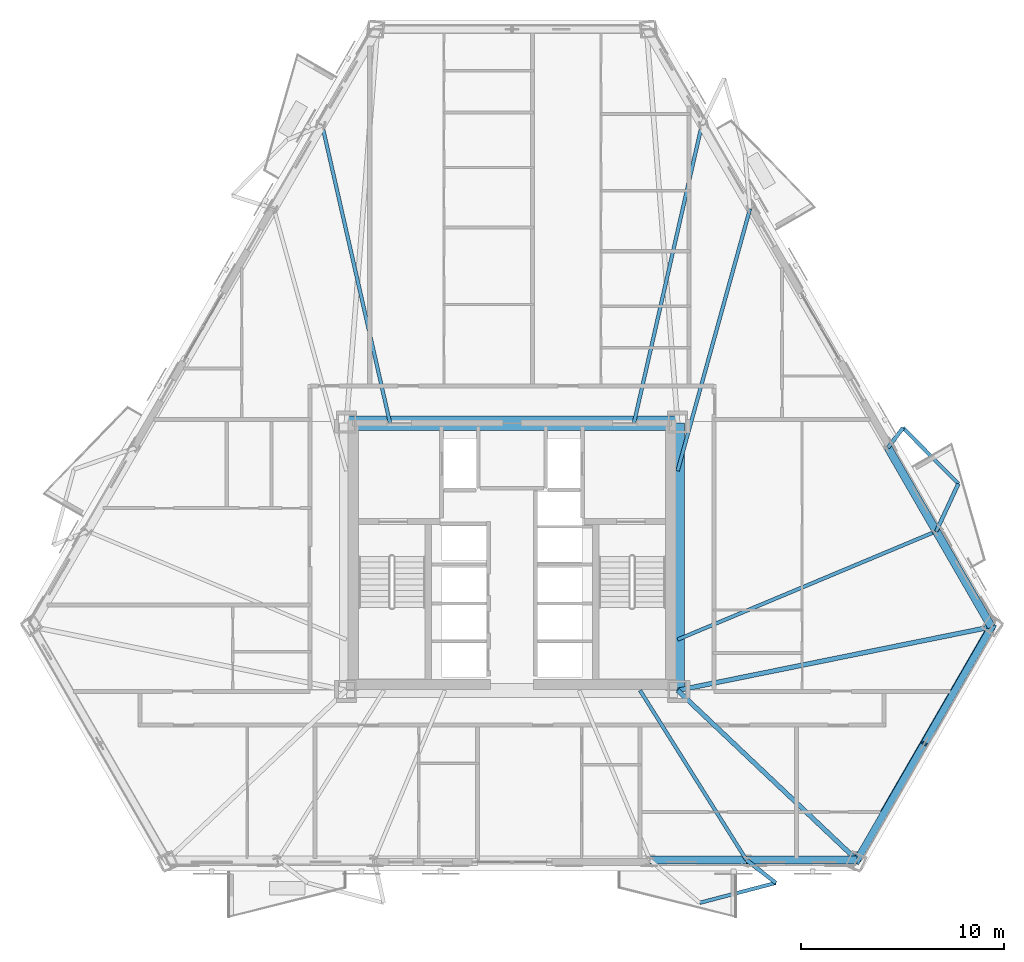
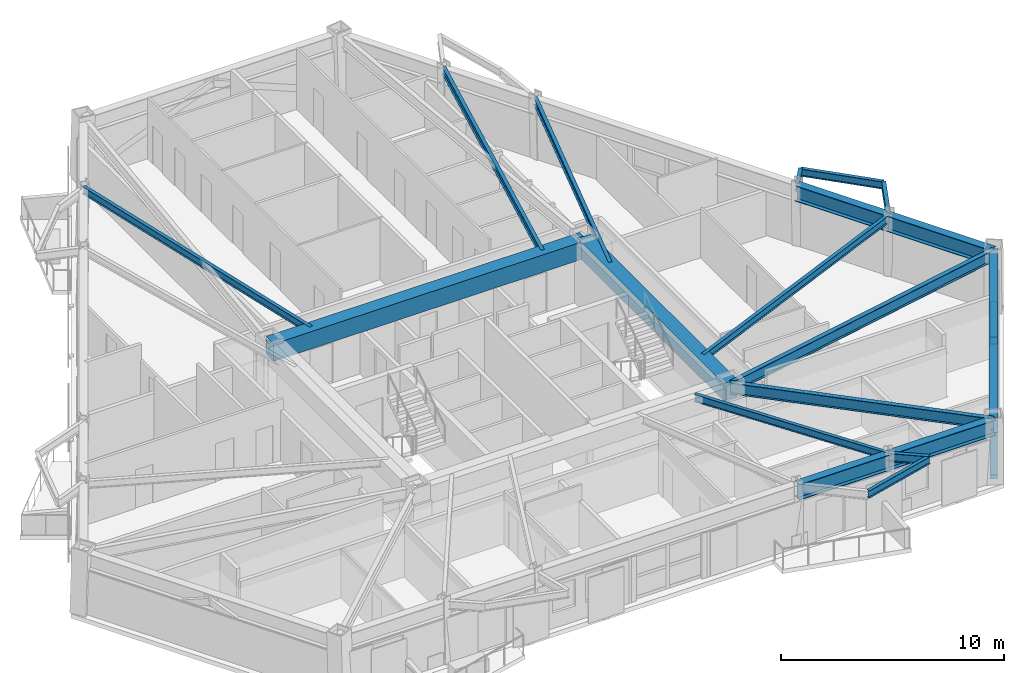
# One storey, part 6 of 17: 19 beams, 2 members.
"""IFC4 building model written with IfcOpenShell, lengths in metres."""

import ifcopenshell
import ifcopenshell.guid

model = None  # the IFC model being written
_history = None  # IfcOwnerHistory: only IFC2X3 demands one
_inside = {}  # id of a spatial element -> (the spatial element, [elements in it])
_under = {}  # id of a project, library or spatial element -> (it, [spatial elements below it])
_declared = {}  # id of a project -> (the project, [libraries it declares])
_typed = {}  # id of a type object -> (the type object, [elements of that type])
_made_of = {}  # id of a material, layer set ... -> (it, [elements and type objects made of it])


def new_model(schema):
    """Start an empty IFC model of exactly this schema.

    Asked for "IFC4X3", IfcOpenShell would pick the latest addendum, in which some entities
    have other attributes; the version numbers below select the first issue.
    IFC2X3 requires an IfcOwnerHistory on every rooted entity: one is made here for all.
    """
    global model, _history
    if schema == "IFC4X3":
        model = ifcopenshell.file(schema_version=(4, 3, 0, 0))
    else:
        model = ifcopenshell.file(schema=schema)
    _inside.clear()
    _under.clear()
    _declared.clear()
    _typed.clear()
    _made_of.clear()
    _history = None
    if model.schema == "IFC2X3":
        org = make("IfcOrganization", Name="unknown")
        user = make(
            "IfcPersonAndOrganization",
            ThePerson=make("IfcPerson", FamilyName="unknown"),
            TheOrganization=org,
        )
        app = make(
            "IfcApplication",
            ApplicationDeveloper=org,
            Version="unknown",
            ApplicationFullName="unknown",
            ApplicationIdentifier="unknown",
        )
        _history = make(
            "IfcOwnerHistory",
            OwningUser=user,
            OwningApplication=app,
            ChangeAction="ADDED",
            CreationDate=0,
        )
    return model


def make(cls, **values):
    """One entity of the class cls with the attributes given. An attribute that is None is left unset."""
    return model.create_entity(
        cls, **{name: value for name, value in values.items() if value is not None}
    )


def rooted(cls, **values):
    """An entity with a GlobalId (a new one), such as an element, a storey or a relation."""
    return make(cls, GlobalId=ifcopenshell.guid.new(), OwnerHistory=_history, **values)


def si_unit(unit_type, name, prefix=None):
    """IfcSIUnit, for example si_unit("LENGTHUNIT", "METRE", prefix="MILLI")."""
    return make("IfcSIUnit", UnitType=unit_type, Prefix=prefix, Name=name)


def assignment(units):
    """IfcUnitAssignment: the units of a project."""
    return None if units is None else make("IfcUnitAssignment", Units=units)


def point(xyz):
    """IfcCartesianPoint."""
    return None if xyz is None else make("IfcCartesianPoint", Coordinates=xyz)


def direction(xyz):
    """IfcDirection."""
    return None if xyz is None else make("IfcDirection", DirectionRatios=xyz)


def frame(location, z_axis=None, x_axis=None):
    """IfcAxis2Placement3D, a coordinate frame: its origin and axes. An axis left out is left unset."""
    return make(
        "IfcAxis2Placement3D",
        Location=point(location),
        Axis=direction(z_axis),
        RefDirection=direction(x_axis),
    )


def frame_2d(location, x_axis=None):
    """IfcAxis2Placement2D, a coordinate frame in the plane: its origin and x axis."""
    return make(
        "IfcAxis2Placement2D", Location=point(location), RefDirection=direction(x_axis)
    )


def origin():
    """The frame at (0, 0, 0) with its axes left unset."""
    return frame((0.0, 0.0, 0.0))


def origin_2d():
    """The frame at (0, 0) in the plane with its x axis left unset."""
    return frame_2d((0.0, 0.0))


def place(relative_to, where):
    """IfcLocalPlacement: puts the frame where relative to a parent placement (None: the world)."""
    return make(
        "IfcLocalPlacement", PlacementRelTo=relative_to, RelativePlacement=where
    )


def context(
    kind, dimensions, precision=None, world=None, true_north=None, identifier=None
):
    """IfcGeometricRepresentationContext, for example the 3D "Model" context."""
    return make(
        "IfcGeometricRepresentationContext",
        ContextIdentifier=identifier,
        ContextType=kind,
        CoordinateSpaceDimension=dimensions,
        Precision=precision,
        WorldCoordinateSystem=world,
        TrueNorth=true_north,
    )


def subcontext(parent, identifier, kind, view, scale=None):
    """IfcGeometricRepresentationSubContext, for example "Body" below "Model"."""
    return make(
        "IfcGeometricRepresentationSubContext",
        ContextIdentifier=identifier,
        ContextType=kind,
        ParentContext=parent,
        TargetScale=scale,
        TargetView=view,
    )


def project(units=None, contexts=None):
    """IfcProject with its units and contexts."""
    return rooted(
        "IfcProject",
        Name="project",
        RepresentationContexts=contexts,
        UnitsInContext=assignment(units),
    )


def spatial(cls, under=None, at=None, **own):
    """A site, building, storey or space (cls), placed at a placement, below another one or the project."""
    s = rooted(cls, ObjectPlacement=at, **own)
    if under is not None:
        _under.setdefault(under.id(), (under, []))[1].append(s)
    return s


def profile(cls, at=None, kind="AREA", **sizes):
    """A parametric profile (cls). Its sizes go by their IFC names, for example OverallWidth=200.0."""
    return make(cls, ProfileType=kind, Position=at, **sizes)


def rectangle(**sizes):
    """IfcRectangleProfileDef."""
    return profile("IfcRectangleProfileDef", **sizes)


def hollow_rectangle(**sizes):
    """IfcRectangleHollowProfileDef."""
    return profile("IfcRectangleHollowProfileDef", **sizes)


def i_section(**sizes):
    """IfcIShapeProfileDef."""
    return profile("IfcIShapeProfileDef", **sizes)


def extrude(swept, where, along, depth):
    """IfcExtrudedAreaSolid: the profile swept, set in the frame where, extruded along a direction by depth."""
    return make(
        "IfcExtrudedAreaSolid",
        SweptArea=swept,
        Position=where,
        ExtrudedDirection=direction(along),
        Depth=depth,
    )


def shape(context_of_items, identifier, shape_type, items):
    """IfcShapeRepresentation: the items that make up one representation, for example the "Body"."""
    return make(
        "IfcShapeRepresentation",
        ContextOfItems=context_of_items,
        RepresentationIdentifier=identifier,
        RepresentationType=shape_type,
        Items=items,
    )


def material(Name=None, Category=None):
    """IfcMaterial."""
    return make("IfcMaterial", Name=Name, Category=Category)


def material_profile(
    of_material, cross_section, Name=None, Category=None, Priority=None
):
    """IfcMaterialProfile: a cross section and its material."""
    return make(
        "IfcMaterialProfile",
        Name=Name,
        Material=of_material,
        Profile=cross_section,
        Priority=Priority,
        Category=Category,
    )


def profile_set(profiles, Name=None, composite=None):
    """IfcMaterialProfileSet."""
    return make(
        "IfcMaterialProfileSet",
        Name=Name,
        MaterialProfiles=profiles,
        CompositeProfile=composite,
    )


def made_of(thing, what):
    """Note that an element or type object is made of a material, layer set ...; save() writes the relation."""
    if what is not None:
        _made_of.setdefault(what.id(), (what, []))[1].append(thing)
    return thing


def type_object(cls, material=None, **own):
    """A type object (cls), such as IfcWallType, which elements share."""
    return made_of(rooted(cls, **own), material)


def element(
    cls,
    number,
    at=None,
    inside=None,
    cuts=None,
    type_object=None,
    material=None,
    context=None,
    identifier="Body",
    shape_type=None,
    held_by="IfcProductDefinitionShape",
    body=None,
    shapes=None,
    **own,
):
    """One element of the class cls, such as IfcWall. Its Tag is "e" and its number.

    at: its placement. inside: the storey or other place that contains it. cuts: it is an
    opening in that element (IfcRelVoidsElement). A single representation is given by context,
    identifier, shape_type and body (its items); several are given by shapes. held_by: the class
    of the entity that holds the representations. save() writes the other relations.
    """
    e = rooted(cls, Tag="e%d" % number, ObjectPlacement=at, **own)
    if body is not None:
        shapes = [shape(context, identifier, shape_type, body)]
    if shapes is not None:
        e.Representation = make(held_by, Representations=shapes)
    if inside is not None:
        _inside.setdefault(inside.id(), (inside, []))[1].append(e)
    if cuts is not None:
        rooted(
            "IfcRelVoidsElement", RelatingBuildingElement=cuts, RelatedOpeningElement=e
        )
    if type_object is not None:
        _typed.setdefault(type_object.id(), (type_object, []))[1].append(e)
    return made_of(e, material)


def aggregate(whole, parts):
    """IfcRelAggregates: a whole, such as a stair, and the parts it consists of."""
    return rooted("IfcRelAggregates", RelatingObject=whole, RelatedObjects=parts)


def save(model, path):
    """Write the relations noted so far, then the file.

    IfcRelAggregates (storeys below a building ...), IfcRelContainedInSpatialStructure (elements
    in a storey), IfcRelDefinesByType, IfcRelAssociatesMaterial and IfcRelDeclares: one each for
    every whole, place, type object, material and project.
    """
    for whole, parts in _under.values():
        aggregate(whole, parts)
    for where, things in _inside.values():
        rooted(
            "IfcRelContainedInSpatialStructure",
            RelatedElements=things,
            RelatingStructure=where,
        )
    for kind, things in _typed.values():
        rooted("IfcRelDefinesByType", RelatedObjects=things, RelatingType=kind)
    for what, things in _made_of.values():
        rooted("IfcRelAssociatesMaterial", RelatedObjects=things, RelatingMaterial=what)
    for by, libraries in _declared.values():
        rooted("IfcRelDeclares", RelatingContext=by, RelatedDefinitions=libraries)
    model.write(path)


model = new_model("IFC4")

# Units and contexts
model_context = context("Model", 3, precision=1e-05, world=origin(), true_north=direction((0.0, 1.0)))
body_context = subcontext(model_context, "Body", "Model", "MODEL_VIEW")
ifc_project = project(units=[si_unit("LENGTHUNIT", "METRE"), si_unit("AREAUNIT", "SQUARE_METRE"), si_unit("VOLUMEUNIT", "CUBIC_METRE"), si_unit("PLANEANGLEUNIT", "RADIAN"), si_unit("MASSUNIT", "GRAM", prefix="KILO")], contexts=[model_context])

# Site, building, storey
site_placement = place(None, origin())
site = spatial("IfcSite", under=ifc_project, at=site_placement, CompositionType="ELEMENT")
building_placement = place(site_placement, origin())
building = spatial("IfcBuilding", under=site, at=building_placement, Name="Oramaril Tower", CompositionType="ELEMENT")
storey_placement = place(building_placement, frame((0.0, 0.0, 70.5)))
storey = spatial("IfcBuildingStorey", under=building, at=storey_placement, Name="L18", CompositionType="ELEMENT", Elevation=70.5)

# Beams
ifc_material_1 = material(Name="Steel ASTM A572 Gr 50", Category="steel")
ifc_material_profile_1 = material_profile(ifc_material_1, i_section(OverallWidth=0.19091796875, OverallDepth=0.45703125, WebThickness=0.009033203125, FlangeThickness=0.014404296875, at=origin_2d()), Name="W18X50")
ifc_profile_set_1 = profile_set([ifc_material_profile_1], Name="Steel ASTM A572 Gr 50")
beam_type_1 = type_object("IfcBeamType", Name="BT-BB1", PredefinedType="BEAM", material=ifc_profile_set_1)
beam_1_placement = place(storey_placement, frame((49.038818359375, 2.654296875, 3.131591796875), z_axis=(0.787842447264, -0.615876836948, 0.0), x_axis=(0.615876836948, 0.787842447264, 0.0)))
element("IfcBeam", 1, at=beam_1_placement, inside=storey, type_object=beam_type_1, Name="L18 Balcony Column-Framed Cantilever 02.2", PredefinedType="BEAM", context=body_context, shape_type="SweptSolid", body=[
    extrude(i_section(OverallWidth=0.19091796875, OverallDepth=0.45703125, WebThickness=0.009033203125, FlangeThickness=0.014404296875, at=origin_2d()), origin(), (0.0, 0.0, 1.0), 1.831298828125),
])
beam_2_placement = place(storey_placement, frame((58.377685546875, 18.829833984375, 3.131591796875), z_axis=(0.420835715479, 0.907136869815, 0.0), x_axis=(-0.907136869815, 0.420835715479, 0.0)))
element("IfcBeam", 2, at=beam_2_placement, inside=storey, type_object=beam_type_1, Name="L18 Balcony Column-Framed Cantilever 03.1", PredefinedType="BEAM", context=body_context, shape_type="SweptSolid", body=[
    extrude(i_section(OverallWidth=0.19091796875, OverallDepth=0.45703125, WebThickness=0.009033203125, FlangeThickness=0.014404296875, at=origin_2d()), origin(), (0.0, 0.0, 1.0), 2.576904296875),
])
beam_3_placement = place(storey_placement, frame((56.002197265625, 22.944580078125, 3.131591796875), z_axis=(0.604045868404, 0.79694955227, 0.0), x_axis=(-0.79694955227, 0.604045868404, 0.0)))
element("IfcBeam", 3, at=beam_3_placement, inside=storey, type_object=beam_type_1, Name="L18 Balcony Column-Framed Cantilever 03.2", PredefinedType="BEAM", context=body_context, shape_type="SweptSolid", body=[
    extrude(i_section(OverallWidth=0.19091796875, OverallDepth=0.45703125, WebThickness=0.009033203125, FlangeThickness=0.014404296875, at=origin_2d()), origin(), (0.0, 0.0, 1.0), 1.223876953125),
])
ifc_material_2 = material(Name="Concrete C50/60", Category="concrete")
ifc_material_profile_2 = material_profile(ifc_material_2, rectangle(XDim=0.699951171875, YDim=0.949951171875, at=origin_2d()), Name="CB700X950")
ifc_profile_set_2 = profile_set([ifc_material_profile_2], Name="Concrete C50/60")
beam_type_2 = type_object("IfcBeamType", Name="BT-CB1", PredefinedType="BEAM", material=ifc_profile_set_2)
beam_4_placement = place(storey_placement, frame((45.64990234375, 11.0, 2.885009765625), z_axis=(0.0, 1.0, 0.0), x_axis=(-1.0, 0.0, 0.0)))
element("IfcBeam", 4, at=beam_4_placement, inside=storey, type_object=beam_type_2, Name="L18 Core Header Beam CB-2", PredefinedType="BEAM", context=body_context, shape_type="SweptSolid", body=[
    extrude(rectangle(XDim=0.699951171875, YDim=0.949951171875, at=origin_2d()), origin(), (0.0, 0.0, 1.0), 13.14990234375),
])
beam_5_placement = place(storey_placement, frame((45.64990234375, 24.14990234375, 2.885009765625), z_axis=(-1.0, 0.0, 0.0), x_axis=(0.0, -1.0, 0.0)))
element("IfcBeam", 5, at=beam_5_placement, inside=storey, type_object=beam_type_2, Name="L18 Core Header Beam CB-3", PredefinedType="BEAM", context=body_context, shape_type="SweptSolid", body=[
    extrude(rectangle(XDim=0.699951171875, YDim=0.949951171875, at=origin_2d()), origin(), (0.0, 0.0, 1.0), 16.2998046875),
])
ifc_material_3 = material(Name="Steel ASTM A572 Gr 50", Category="steel")
ifc_material_profile_3 = material_profile(ifc_material_3, i_section(OverallWidth=0.22900390625, OverallDepth=0.612060546875, WebThickness=0.011962890625, FlangeThickness=0.01953125, at=origin_2d()), Name="W24X84")
ifc_profile_set_3 = profile_set([ifc_material_profile_3], Name="Steel ASTM A572 Gr 50")
beam_type_3 = type_object("IfcBeamType", Name="BT-FB1", PredefinedType="BEAM", material=ifc_profile_set_3)
beam_6_placement = place(storey_placement, frame((45.64990234375, 11.0, 3.053955078125), z_axis=(0.726331938854, -0.687344102034, 0.0), x_axis=(0.687344102034, 0.726331938854, 0.0)))
element("IfcBeam", 6, at=beam_6_placement, inside=storey, type_object=beam_type_3, Name="L18 Radial Primary Beam RB-03", PredefinedType="BEAM", context=body_context, shape_type="SweptSolid", body=[
    extrude(i_section(OverallWidth=0.22900390625, OverallDepth=0.612060546875, WebThickness=0.011962890625, FlangeThickness=0.01953125, at=origin_2d()), origin(), (0.0, 0.0, 1.0), 12.141845703125),
])
beam_7_placement = place(storey_placement, frame((45.64990234375, 11.0, 3.053955078125), z_axis=(0.980106444262, 0.198472562123, 0.0), x_axis=(-0.198472562123, 0.980106444262, 0.0)))
element("IfcBeam", 7, at=beam_7_placement, inside=storey, type_object=beam_type_3, Name="L18 Radial Primary Beam RB-04", PredefinedType="BEAM", context=body_context, shape_type="SweptSolid", body=[
    extrude(i_section(OverallWidth=0.22900390625, OverallDepth=0.612060546875, WebThickness=0.011962890625, FlangeThickness=0.01953125, at=origin_2d()), origin(), (0.0, 0.0, 1.0), 15.75634765625),
])
ifc_material_4 = material(Name="Steel ASTM A572 Gr 50", Category="steel")
ifc_material_profile_4 = material_profile(ifc_material_4, i_section(OverallWidth=0.177978515625, OverallDepth=0.404052734375, WebThickness=0.007568359375, FlangeThickness=0.010986328125, at=origin_2d()), Name="W16X36")
ifc_profile_set_4 = profile_set([ifc_material_profile_4], Name="Steel ASTM A572 Gr 50")
beam_type_4 = type_object("IfcBeamType", Name="BT-SB1", PredefinedType="BEAM", material=ifc_profile_set_4)
beam_8_placement = place(storey_placement, frame((43.800048828125, 11.0, 3.157958984375), z_axis=(0.531654893826, -0.846961081674, 0.0), x_axis=(0.846961081674, 0.531654893826, 0.0)))
element("IfcBeam", 8, at=beam_8_placement, inside=storey, type_object=beam_type_4, Name="L18 Secondary Floor Beam SB-04", PredefinedType="BEAM", context=body_context, shape_type="SweptSolid", body=[
    extrude(i_section(OverallWidth=0.177978515625, OverallDepth=0.404052734375, WebThickness=0.007568359375, FlangeThickness=0.010986328125, at=origin_2d()), origin(), (0.0, 0.0, 1.0), 9.853759765625),
])
beam_9_placement = place(storey_placement, frame((45.64990234375, 13.5, 3.157958984375), z_axis=(0.922391296848, 0.386256774049, 0.0), x_axis=(-0.386256774049, 0.922391296848, 0.0)))
element("IfcBeam", 9, at=beam_9_placement, inside=storey, type_object=beam_type_4, Name="L18 Secondary Floor Beam SB-05", PredefinedType="BEAM", context=body_context, shape_type="SweptSolid", body=[
    extrude(i_section(OverallWidth=0.177978515625, OverallDepth=0.404052734375, WebThickness=0.007568359375, FlangeThickness=0.010986328125, at=origin_2d()), origin(), (0.0, 0.0, 1.0), 13.798583984375),
])
beam_10_placement = place(storey_placement, frame((45.64990234375, 21.800048828125, 3.157958984375), z_axis=(0.266334041526, 0.963880790515, 0.0), x_axis=(-0.963880790515, 0.266334041526, 0.0)))
element("IfcBeam", 10, at=beam_10_placement, inside=storey, type_object=beam_type_4, Name="L18 Secondary Floor Beam SB-06", PredefinedType="BEAM", context=body_context, shape_type="SweptSolid", body=[
    extrude(i_section(OverallWidth=0.177978515625, OverallDepth=0.404052734375, WebThickness=0.007568359375, FlangeThickness=0.010986328125, at=origin_2d()), origin(), (0.0, 0.0, 1.0), 13.38427734375),
])
for number, where, z_axis, x_axis, name in (
    (11, (43.5, 24.14990234375, 3.157958984375), (0.22198028346, 0.97505115443, 0.0), (-0.97505115443, 0.22198028346, 0.0), "L18 Secondary Floor Beam SB-07"),
    (12, (31.5, 24.14990234375, 3.157958984375), (-0.22198028346, 0.97505115443, 0.0), (-0.97505115443, -0.22198028346, 0.0), "L18 Secondary Floor Beam SB-08"),
):
    element("IfcBeam", number, at=place(storey_placement, frame(where, z_axis=z_axis, x_axis=x_axis)), inside=storey, type_object=beam_type_4, Name=name, PredefinedType="BEAM", context=body_context, shape_type="SweptSolid", body=[
        extrude(i_section(OverallWidth=0.177978515625, OverallDepth=0.404052734375, WebThickness=0.007568359375, FlangeThickness=0.010986328125, at=origin_2d()), origin(), (0.0, 0.0, 1.0), 15.041259765625),
    ])
beam_11_placement = place(storey_placement, frame((46.737548828125, 0.54638671875, 3.157958984375), z_axis=(0.967411967632, 0.253207592467, 0.0), x_axis=(-0.253207592467, 0.967411967632, 0.0)))
element("IfcBeam", 13, at=beam_11_placement, inside=storey, type_object=beam_type_4, Name="L18 Balcony Edge Tie Beam 02", PredefinedType="BEAM", context=body_context, shape_type="SweptSolid", body=[
    extrude(i_section(OverallWidth=0.177978515625, OverallDepth=0.404052734375, WebThickness=0.007568359375, FlangeThickness=0.010986328125, at=origin_2d()), origin(), (0.0, 0.0, 1.0), 3.870361328125),
])
beam_12_placement = place(storey_placement, frame((59.462158203125, 21.16748046875, 3.157958984375), z_axis=(-0.702994511648, 0.71119527318, 0.0), x_axis=(-0.71119527318, -0.702994511648, 0.0)))
element("IfcBeam", 14, at=beam_12_placement, inside=storey, type_object=beam_type_4, Name="L18 Balcony Edge Tie Beam 03", PredefinedType="BEAM", context=body_context, shape_type="SweptSolid", body=[
    extrude(i_section(OverallWidth=0.177978515625, OverallDepth=0.404052734375, WebThickness=0.007568359375, FlangeThickness=0.010986328125, at=origin_2d()), origin(), (0.0, 0.0, 1.0), 3.8701171875),
])
ifc_material_5 = material(Name="Steel ASTM A572 Gr 50", Category="steel")
ifc_material_profile_5 = material_profile(ifc_material_5, i_section(OverallWidth=0.40087890625, OverallDepth=0.85595703125, WebThickness=0.018310546875, FlangeThickness=0.029296875, at=origin_2d()), Name="W33X201")
ifc_profile_set_5 = profile_set([ifc_material_profile_5], Name="Steel ASTM A572 Gr 50")
beam_type_5 = type_object("IfcBeamType", Name="BT-SP1", PredefinedType="SPANDREL", material=ifc_profile_set_5)
beam_13_placement = place(storey_placement, frame((44.28759765625, 2.654296875, 2.931884765625), z_axis=(1.0, 0.0, 0.0), x_axis=(0.0, 1.0, 0.0)))
element("IfcBeam", 15, at=beam_13_placement, inside=storey, type_object=beam_type_5, Name="L18 Perimeter Spandrel 05", PredefinedType="SPANDREL", context=body_context, shape_type="SweptSolid", body=[
    extrude(i_section(OverallWidth=0.40087890625, OverallDepth=0.85595703125, WebThickness=0.018310546875, FlangeThickness=0.029296875, at=origin_2d()), origin(), (0.0, 0.0, 1.0), 4.751220703125),
])
beam_14_placement = place(storey_placement, frame((49.038818359375, 2.654296875, 2.931884765625), z_axis=(1.0, 0.0, 0.0), x_axis=(0.0, 1.0, 0.0)))
element("IfcBeam", 16, at=beam_14_placement, inside=storey, type_object=beam_type_5, Name="L18 Perimeter Spandrel 06", PredefinedType="SPANDREL", context=body_context, shape_type="SweptSolid", body=[
    extrude(i_section(OverallWidth=0.40087890625, OverallDepth=0.85595703125, WebThickness=0.018310546875, FlangeThickness=0.029296875, at=origin_2d()), origin(), (0.0, 0.0, 1.0), 5.43017578125),
])
beam_15_placement = place(storey_placement, frame((54.468994140625, 2.654296875, 2.931884765625), z_axis=(0.499994178302, 0.866028764917, 0.0), x_axis=(-0.866028764917, 0.499994178302, 0.0)))
element("IfcBeam", 17, at=beam_15_placement, inside=storey, type_object=beam_type_5, Name="L18 Perimeter Spandrel 07", PredefinedType="SPANDREL", context=body_context, shape_type="SweptSolid", body=[
    extrude(i_section(OverallWidth=0.40087890625, OverallDepth=0.85595703125, WebThickness=0.018310546875, FlangeThickness=0.029296875, at=origin_2d()), origin(), (0.0, 0.0, 1.0), 13.247802734375),
])
beam_16_placement = place(storey_placement, frame((61.0927734375, 14.127197265625, 2.931884765625), z_axis=(-0.500002667764, 0.866023863544, 0.0), x_axis=(-0.866023863544, -0.500002667764, 0.0)))
element("IfcBeam", 18, at=beam_16_placement, inside=storey, type_object=beam_type_5, Name="L18 Perimeter Spandrel 08", PredefinedType="SPANDREL", context=body_context, shape_type="SweptSolid", body=[
    extrude(i_section(OverallWidth=0.40087890625, OverallDepth=0.85595703125, WebThickness=0.018310546875, FlangeThickness=0.029296875, at=origin_2d()), origin(), (0.0, 0.0, 1.0), 5.43017578125),
])
beam_17_placement = place(storey_placement, frame((58.377685546875, 18.829833984375, 2.931884765625), z_axis=(-0.49997450891, 0.866040120572, 0.0), x_axis=(-0.866040120572, -0.49997450891, 0.0)))
element("IfcBeam", 19, at=beam_17_placement, inside=storey, type_object=beam_type_5, Name="L18 Perimeter Spandrel 09", PredefinedType="SPANDREL", context=body_context, shape_type="SweptSolid", body=[
    extrude(i_section(OverallWidth=0.40087890625, OverallDepth=0.85595703125, WebThickness=0.018310546875, FlangeThickness=0.029296875, at=origin_2d()), origin(), (0.0, 0.0, 1.0), 4.751220703125),
])

# Members
ifc_material_6 = material(Name="Steel ASTM A572 Gr 50", Category="steel")
ifc_material_profile_6 = material_profile(ifc_material_6, hollow_rectangle(XDim=0.35009765625, YDim=0.35009765625, WallThickness=0.01611328125, at=origin_2d()), Name="HSS350X350X16")
ifc_profile_set_6 = profile_set([ifc_material_profile_6], Name="Steel ASTM A572 Gr 50")
member_type = type_object("IfcMemberType", Name="MT-KB1", PredefinedType="BRACE", material=ifc_profile_set_6)
member_1_placement = place(storey_placement, frame((54.42578125, 2.560546875, 0.179931640625), z_axis=(0.462765856886, 0.801542981355, 0.378651040855), x_axis=(-0.866027836199, 0.499995786911, 0.0)))
element("IfcMember", 20, at=member_1_placement, inside=storey, type_object=member_type, Name="L18 Perimeter Chevron Brace KB-2A", PredefinedType="BRACE", context=body_context, shape_type="SweptSolid", body=[
    extrude(hollow_rectangle(XDim=0.35009765625, YDim=0.35009765625, WallThickness=0.01611328125, at=origin_2d()), origin(), (0.0, 0.0, 1.0), 7.267822265625),
])
member_2_placement = place(storey_placement, frame((61.15234375, 14.211669921875, 0.179931640625), z_axis=(-0.462753396891, -0.801554991043, 0.378640845656), x_axis=(0.866036909293, -0.499980071345, 0.0)))
element("IfcMember", 21, at=member_2_placement, inside=storey, type_object=member_type, Name="L18 Perimeter Chevron Brace KB-2B", PredefinedType="BRACE", context=body_context, shape_type="SweptSolid", body=[
    extrude(hollow_rectangle(XDim=0.35009765625, YDim=0.35009765625, WallThickness=0.01611328125, at=origin_2d()), origin(), (0.0, 0.0, 1.0), 7.26806640625),
])

save(model, "model.ifc")
